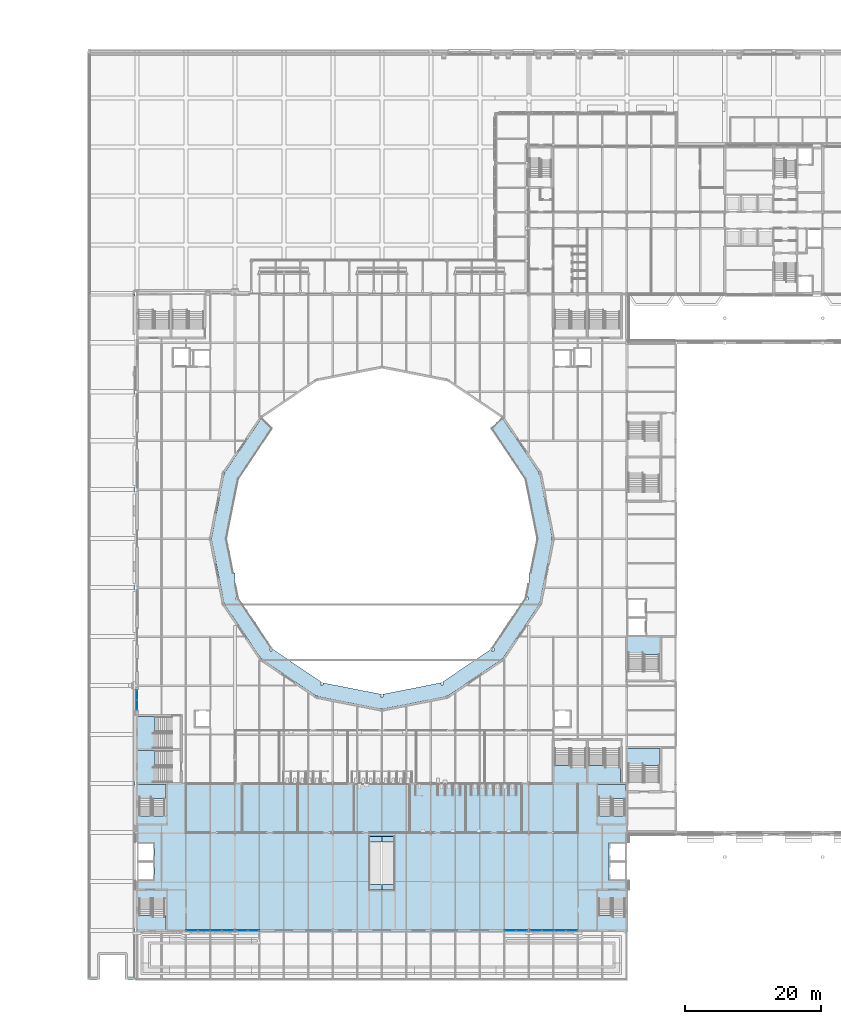
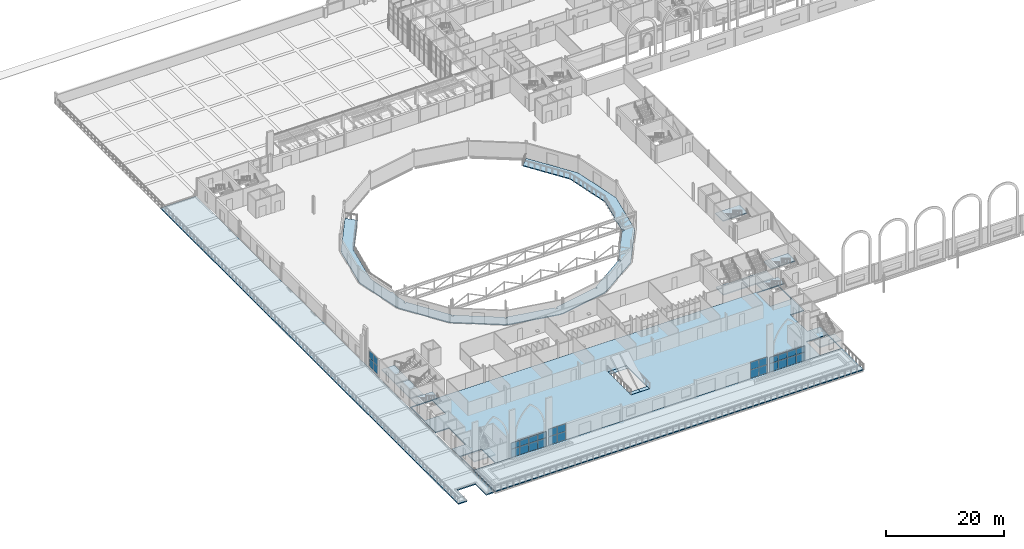
# One storey, part 63 of 143: 32 plates, 14 slabs, 15 elements without a shape of their own.
"""IFC4 building model written with IfcOpenShell, lengths in metres."""

from ifc_helpers import new_model, si_unit, direction, frame, origin, origin_2d, place, context, subcontext, project, spatial, polyline, rectangle, outline, extrude, material, layer, layer_set, type_object, element, aggregate, save


model = new_model("IFC4")

# Units and contexts
model_context = context("Model", 3, precision=1e-05, world=origin(), true_north=direction((0.0, 1.0)))
body_context = subcontext(model_context, "Body", "Model", "MODEL_VIEW")
ifc_project = project(units=[si_unit("LENGTHUNIT", "METRE"), si_unit("AREAUNIT", "SQUARE_METRE"), si_unit("VOLUMEUNIT", "CUBIC_METRE"), si_unit("PLANEANGLEUNIT", "RADIAN"), si_unit("MASSUNIT", "GRAM", prefix="KILO")], contexts=[model_context])

# Site, building, storey
site_placement = place(None, origin())
site = spatial("IfcSite", under=ifc_project, at=site_placement, CompositionType="ELEMENT")
building_placement = place(site_placement, origin())
building = spatial("IfcBuilding", under=site, at=building_placement, Name="Kupolbacken Congress Centre", CompositionType="ELEMENT")
storey_placement = place(building_placement, frame((0.0, 0.0, 7.199951171875)))
storey = spatial("IfcBuildingStorey", under=building, at=storey_placement, Name="L02", CompositionType="ELEMENT", Elevation=7.199951171875)

# Slab
ifc_material_1 = material(Name="Concrete C30/37", Category="concrete")
ifc_layer_1 = layer(ifc_material_1, 0.22998046875)
ifc_layer_set_1 = layer_set([ifc_layer_1], Name="Concrete C30/37")
slab_type_1 = type_object("IfcSlabType", Name="BS1 slab 230", PredefinedType="BASESLAB", material=ifc_layer_set_1)
slab_1_placement = place(storey_placement, frame((0.0, 0.0, -0.22998046875)))
element("IfcSlab", 1, at=slab_1_placement, inside=storey, type_object=slab_type_1, Name="S/platform/WEST_TERRACE", PredefinedType="BASESLAB", context=body_context, shape_type="SweptSolid", body=[
    extrude(outline(polyline([(0.0009765625, 122.39990234375), (0.0009765625, 21.60009765625), (1.75, 21.60009765625), (1.75, 25.25), (5.449951171875, 25.25), (5.449951171875, 21.60009765625), (6.925048828125, 21.60009765625), (6.925048828125, 122.39990234375), (0.0009765625, 122.39990234375)])), origin(), (0.0, 0.0, 1.0), 0.22998046875),
])

# Plates
ifc_material_2 = material(Name="Steel S355", Category="steel")
ifc_layer_2 = layer(ifc_material_2, 0.0400390625)
ifc_layer_set_2 = layer_set([ifc_layer_2], Name="Steel S355")
plate_type_1 = type_object("IfcPlateType", Name="EP1 escalator comb plate 40", PredefinedType="SHEET", material=ifc_layer_set_2)
plate_1_placement = place(storey_placement, frame((0.0, 0.0, -0.0400390625)))
element("IfcPlate", 2, at=plate_1_placement, inside=storey, type_object=plate_type_1, Name="Escalator comb plate", PredefinedType="SHEET", context=body_context, shape_type="SweptSolid", body=[
    extrude(outline(polyline([(41.39990234375, 41.817626953125), (43.199951171875, 41.817626953125), (43.199951171875, 42.61767578125), (41.39990234375, 42.61767578125), (41.39990234375, 41.817626953125)])), origin(), (0.0, 0.0, 1.0), 0.0400390625),
])
plate_2_placement = place(storey_placement, frame((0.0, 0.0, -0.0400390625)))
element("IfcPlate", 3, at=plate_2_placement, inside=storey, type_object=plate_type_1, Name="Escalator comb plate", PredefinedType="SHEET", context=body_context, shape_type="SweptSolid", body=[
    extrude(outline(polyline([(43.199951171875, 41.817626953125), (45.0, 41.817626953125), (45.0, 42.61767578125), (43.199951171875, 42.61767578125), (43.199951171875, 41.817626953125)])), origin(), (0.0, 0.0, 1.0), 0.0400390625),
])
plate_3_placement = place(storey_placement, frame((0.0, 0.0, -0.0400390625)))
element("IfcPlate", 4, at=plate_3_placement, inside=storey, type_object=plate_type_1, Name="Escalator comb plate", PredefinedType="SHEET", context=body_context, shape_type="SweptSolid", body=[
    extrude(outline(polyline([(41.39990234375, 34.7822265625), (43.199951171875, 34.7822265625), (43.199951171875, 35.582275390625), (41.39990234375, 35.582275390625), (41.39990234375, 34.7822265625)])), origin(), (0.0, 0.0, 1.0), 0.0400390625),
])
plate_4_placement = place(storey_placement, frame((0.0, 0.0, -0.0400390625)))
element("IfcPlate", 5, at=plate_4_placement, inside=storey, type_object=plate_type_1, Name="Escalator comb plate", PredefinedType="SHEET", context=body_context, shape_type="SweptSolid", body=[
    extrude(outline(polyline([(43.199951171875, 34.7822265625), (45.0, 34.7822265625), (45.0, 35.582275390625), (43.199951171875, 35.582275390625), (43.199951171875, 34.7822265625)])), origin(), (0.0, 0.0, 1.0), 0.0400390625),
])

# Slabs
ifc_material_3 = material(Name="Concrete C30/37", Category="concrete")
ifc_layer_3 = layer(ifc_material_3, 0.1201171875)
ifc_material_4 = material(Name="Steel S350 profiled deck", Category="steel")
ifc_layer_4 = layer(ifc_material_4, 0.06005859375)
ifc_layer_set_3 = layer_set([ifc_layer_3, ifc_layer_4], Name="Concrete C30/37 / Steel S350 profiled deck")
slab_type_2 = type_object("IfcSlabType", Name="FS3 slab 180", PredefinedType="FLOOR", material=ifc_layer_set_3)
slab_2_placement = place(storey_placement, frame((0.0, 0.0, -0.179931640625)))
element("IfcSlab", 6, at=slab_2_placement, inside=storey, type_object=slab_type_2, Name="S/floor/F/L02/slab/p0/slab", PredefinedType="FLOOR", context=body_context, shape_type="SweptSolid", body=[
    extrude(outline(polyline([(79.199462890625, 28.800537109375), (79.199462890625, 36.1494140625), (76.599609375, 36.1494140625), (76.599609375, 41.75048828125), (79.199462890625, 41.75048828125), (79.199462890625, 50.3994140625), (7.200439453125, 50.3994140625), (7.200439453125, 41.75048828125), (9.800537109375, 41.75048828125), (9.800537109375, 36.1494140625), (7.200439453125, 36.1494140625), (7.200439453125, 28.800537109375), (79.199462890625, 28.800537109375)]), holes=[polyline([(79.075439453125, 33.54052734375), (79.075439453125, 28.924560546875), (74.924560546875, 28.924560546875), (74.924560546875, 33.54052734375), (79.075439453125, 33.54052734375)]), polyline([(79.075439453125, 45.659423828125), (74.924560546875, 45.659423828125), (74.924560546875, 50.275390625), (79.075439453125, 50.275390625), (79.075439453125, 45.659423828125)]), polyline([(41.3994140625, 34.76171875), (41.3994140625, 42.63818359375), (45.00048828125, 42.63818359375), (45.00048828125, 34.76171875), (41.3994140625, 34.76171875)]), polyline([(7.324462890625, 33.54052734375), (11.4755859375, 33.54052734375), (11.4755859375, 28.924560546875), (7.324462890625, 28.924560546875), (7.324462890625, 33.54052734375)]), polyline([(11.4755859375, 45.659423828125), (7.324462890625, 45.659423828125), (7.324462890625, 50.275390625), (11.4755859375, 50.275390625), (11.4755859375, 45.659423828125)])]), origin(), (0.0, 0.0, 1.0), 0.179931640625),
])
slab_3_placement = place(storey_placement, frame((0.0, 0.0, -0.179931640625)))
element("IfcSlab", 7, at=slab_3_placement, inside=storey, type_object=slab_type_2, Name="S/floor/F/L02/slab/p1/slab", PredefinedType="FLOOR", context=body_context, shape_type="SweptSolid", body=[
    extrude(outline(polyline([(79.199462890625, 28.799560546875), (7.200439453125, 28.799560546875), (7.200439453125, 21.6005859375), (79.199462890625, 21.6005859375), (79.199462890625, 28.799560546875)])), origin(), (0.0, 0.0, 1.0), 0.179931640625),
])
ifc_layer_5 = layer(ifc_material_3, 0.1201171875)
ifc_layer_6 = layer(ifc_material_4, 0.06005859375)
ifc_layer_set_4 = layer_set([ifc_layer_5, ifc_layer_6], Name="Concrete C30/37 / Steel S350 profiled deck")
slab_type_3 = type_object("IfcSlabType", Name="FS7 slab 180 ring", PredefinedType="USERDEFINED", material=ifc_layer_set_4)
slab_4_placement = place(storey_placement, frame((0.0, 0.0, -0.179931640625)))
element("IfcSlab", 8, at=slab_4_placement, inside=storey, type_object=slab_type_3, Name="Plenary cross-aisle ring", ObjectType="SEATING TIER", PredefinedType="USERDEFINED", context=body_context, shape_type="SweptSolid", body=[
    extrude(outline(polyline([(43.3701171875, 61.355712890625), (43.3701171875, 61.419921875), (43.030029296875, 61.419921875), (43.030029296875, 61.355712890625), (33.726318359375, 63.1875), (33.726318359375, 63.338134765625), (33.41162109375, 63.338134765625), (25.55078125, 68.642822265625), (25.55078125, 68.80078125), (25.4091796875, 68.80078125), (20.088134765625, 76.685546875), (20.088134765625, 76.976318359375), (19.977783203125, 76.976318359375), (18.16552734375, 86.179931640625), (18.169921875, 86.179931640625), (18.169921875, 86.6201171875), (18.16552734375, 86.6201171875), (19.977783203125, 95.823486328125), (20.088134765625, 95.823486328125), (20.088134765625, 96.114501953125), (25.4091796875, 103.9990234375), (25.55078125, 103.9990234375), (25.55078125, 104.049072265625), (27.02783203125, 102.572021484375), (27.02783203125, 102.572021484375), (22.029052734375, 95.164794921875), (20.303466796875, 86.39990234375), (21.3037109375, 81.320068359375), (21.583251953125, 81.320068359375), (21.583251953125, 79.89990234375), (21.99755859375, 77.7958984375), (21.726318359375, 77.7958984375), (21.726318359375, 77.355712890625), (22.06640625, 77.355712890625), (22.06640625, 77.579833984375), (26.96923828125, 70.31494140625), (26.724853515625, 70.31494140625), (26.724853515625, 69.875), (27.06494140625, 69.875), (27.06494140625, 70.202880859375), (34.305908203125, 65.31640625), (34.205810546875, 65.31640625), (34.205810546875, 64.87646484375), (34.5458984375, 64.87646484375), (34.5458984375, 65.207275390625), (43.030029296875, 63.536865234375), (43.030029296875, 63.12109375), (43.3701171875, 63.12109375), (43.3701171875, 63.536865234375), (51.854248046875, 65.207275390625), (51.854248046875, 64.87646484375), (52.194091796875, 64.87646484375), (52.194091796875, 65.31640625), (52.093994140625, 65.31640625), (59.335205078125, 70.202880859375), (59.335205078125, 69.875), (59.675048828125, 69.875), (59.675048828125, 70.31494140625), (59.430908203125, 70.31494140625), (64.33349609375, 77.579833984375), (64.33349609375, 77.355712890625), (64.673583984375, 77.355712890625), (64.673583984375, 77.7958984375), (64.402587890625, 77.7958984375), (64.81689453125, 79.89990234375), (64.81689453125, 81.320068359375), (65.096435546875, 81.320068359375), (66.0966796875, 86.39990234375), (64.370849609375, 95.164794921875), (59.3720703125, 102.572021484375), (60.84912109375, 104.049072265625), (60.84912109375, 103.9990234375), (60.99072265625, 103.9990234375), (66.311767578125, 96.114501953125), (66.311767578125, 95.823486328125), (66.42236328125, 95.823486328125), (68.234375, 86.6201171875), (68.22998046875, 86.6201171875), (68.22998046875, 86.179931640625), (68.234375, 86.179931640625), (66.42236328125, 76.976318359375), (66.311767578125, 76.976318359375), (66.311767578125, 76.685546875), (60.99072265625, 68.80078125), (60.84912109375, 68.80078125), (60.84912109375, 68.642822265625), (52.988525390625, 63.338134765625), (52.673583984375, 63.338134765625), (52.673583984375, 63.1875), (43.3701171875, 61.355712890625)])), origin(), (0.0, 0.0, 1.0), 0.179931640625),
])

# Curtain wall, plates
ifc_material_5 = material(Name="Aluminium mullion-transom frame with glass", Category="aluminium")
curtain_wall_type_1 = type_object("IfcCurtainWallType", Name="CW1 curtain wall 7200x3600", PredefinedType="NOTDEFINED", material=ifc_material_5)
curtain_wall_1_placement = place(storey_placement, origin())
curtain_wall_1 = element("IfcCurtainWall", 9, at=curtain_wall_1_placement, inside=storey, type_object=curtain_wall_type_1, Name="E/F/S/L02/232", PredefinedType="NOTDEFINED")
ifc_material_6 = material(Name="Glass", Category="glass")
ifc_layer_7 = layer(ifc_material_6, 0.035888671875)
ifc_layer_set_5 = layer_set([ifc_layer_7], Name="Glass")
plate_type_2 = type_object("IfcPlateType", Name="GL2 glass panel 36", PredefinedType="CURTAIN_PANEL", material=ifc_layer_set_5)
plate_5_placement = place(storey_placement, frame((15.293701171875, 28.800048828125, 0.050048828125), z_axis=(0.0, 0.0, 1.0), x_axis=(1.0, 0.0, 0.0)))
plate_5 = element("IfcPlate", 10, at=plate_5_placement, type_object=plate_type_2, Name="CW1 panel 1.1", PredefinedType="CURTAIN_PANEL", context=body_context, shape_type="SweptSolid", body=[
    extrude(rectangle(XDim=1.6875, YDim=0.035888671875, at=origin_2d()), origin(), (0.0, 0.0, 1.0), 1.72509765625),
])
plate_6_placement = place(storey_placement, frame((15.293701171875, 28.800048828125, 1.824951171875), z_axis=(0.0, 0.0, 1.0), x_axis=(1.0, 0.0, 0.0)))
plate_6 = element("IfcPlate", 11, at=plate_6_placement, type_object=plate_type_2, Name="CW1 panel 1.2", PredefinedType="CURTAIN_PANEL", context=body_context, shape_type="SweptSolid", body=[
    extrude(rectangle(XDim=1.6875, YDim=0.035888671875, at=origin_2d()), origin(), (0.0, 0.0, 1.0), 1.2451171875),
])
plate_7_placement = place(storey_placement, frame((17.043701171875, 28.800048828125, 0.050048828125), z_axis=(0.0, 0.0, 1.0), x_axis=(1.0, 0.0, 0.0)))
plate_7 = element("IfcPlate", 12, at=plate_7_placement, type_object=plate_type_2, Name="CW1 panel 2.1", PredefinedType="CURTAIN_PANEL", context=body_context, shape_type="SweptSolid", body=[
    extrude(rectangle(XDim=1.71240234375, YDim=0.035888671875, at=origin_2d()), origin(), (0.0, 0.0, 1.0), 1.72509765625),
])
plate_8_placement = place(storey_placement, frame((17.043701171875, 28.800048828125, 1.824951171875), z_axis=(0.0, 0.0, 1.0), x_axis=(1.0, 0.0, 0.0)))
plate_8 = element("IfcPlate", 13, at=plate_8_placement, type_object=plate_type_2, Name="CW1 panel 2.2", PredefinedType="CURTAIN_PANEL", context=body_context, shape_type="SweptSolid", body=[
    extrude(rectangle(XDim=1.71240234375, YDim=0.035888671875, at=origin_2d()), origin(), (0.0, 0.0, 1.0), 1.2451171875),
])
plate_9_placement = place(storey_placement, frame((18.80615234375, 28.800048828125, 0.050048828125), z_axis=(0.0, 0.0, 1.0), x_axis=(1.0, 0.0, 0.0)))
plate_9 = element("IfcPlate", 14, at=plate_9_placement, type_object=plate_type_2, Name="CW1 panel 3.1", PredefinedType="CURTAIN_PANEL", context=body_context, shape_type="SweptSolid", body=[
    extrude(rectangle(XDim=1.71240234375, YDim=0.035888671875, at=origin_2d()), origin(), (0.0, 0.0, 1.0), 1.72509765625),
])
plate_10_placement = place(storey_placement, frame((18.80615234375, 28.800048828125, 1.824951171875), z_axis=(0.0, 0.0, 1.0), x_axis=(1.0, 0.0, 0.0)))
plate_10 = element("IfcPlate", 15, at=plate_10_placement, type_object=plate_type_2, Name="CW1 panel 3.2", PredefinedType="CURTAIN_PANEL", context=body_context, shape_type="SweptSolid", body=[
    extrude(rectangle(XDim=1.71240234375, YDim=0.035888671875, at=origin_2d()), origin(), (0.0, 0.0, 1.0), 1.2451171875),
])
plate_11_placement = place(storey_placement, frame((20.55615234375, 28.800048828125, 0.050048828125), z_axis=(0.0, 0.0, 1.0), x_axis=(1.0, 0.0, 0.0)))
plate_11 = element("IfcPlate", 16, at=plate_11_placement, type_object=plate_type_2, Name="CW1 panel 4.1", PredefinedType="CURTAIN_PANEL", context=body_context, shape_type="SweptSolid", body=[
    extrude(rectangle(XDim=1.6875, YDim=0.035888671875, at=origin_2d()), origin(), (0.0, 0.0, 1.0), 1.72509765625),
])
plate_12_placement = place(storey_placement, frame((20.55615234375, 28.800048828125, 1.824951171875), z_axis=(0.0, 0.0, 1.0), x_axis=(1.0, 0.0, 0.0)))
plate_12 = element("IfcPlate", 17, at=plate_12_placement, type_object=plate_type_2, Name="CW1 panel 4.2", PredefinedType="CURTAIN_PANEL", context=body_context, shape_type="SweptSolid", body=[
    extrude(rectangle(XDim=1.6875, YDim=0.035888671875, at=origin_2d()), origin(), (0.0, 0.0, 1.0), 1.2451171875),
])
aggregate(curtain_wall_1, [plate_5, plate_6, plate_7, plate_8, plate_9, plate_10, plate_11, plate_12])

ifc_material_7 = material(Name="Aluminium mullion-transom frame with glass", Category="aluminium")
curtain_wall_type_2 = type_object("IfcCurtainWallType", Name="CW2 curtain wall 3600x3600", PredefinedType="NOTDEFINED", material=ifc_material_7)
curtain_wall_2_placement = place(storey_placement, origin())
curtain_wall_2 = element("IfcCurtainWall", 18, at=curtain_wall_2_placement, inside=storey, type_object=curtain_wall_type_2, Name="E/F/S/L02/233", PredefinedType="NOTDEFINED")
plate_13_placement = place(storey_placement, frame((22.62744140625, 28.800048828125, 0.06005859375), z_axis=(0.0, 0.0, 1.0), x_axis=(1.0, 0.0, 0.0)))
plate_13 = element("IfcPlate", 19, at=plate_13_placement, type_object=plate_type_2, Name="CW2 panel 1.1", PredefinedType="CURTAIN_PANEL", context=body_context, shape_type="SweptSolid", body=[
    extrude(rectangle(XDim=1.635009765625, YDim=0.035888671875, at=origin_2d()), origin(), (0.0, 0.0, 1.0), 1.7099609375),
])
plate_14_placement = place(storey_placement, frame((22.62744140625, 28.800048828125, 1.830078125), z_axis=(0.0, 0.0, 1.0), x_axis=(1.0, 0.0, 0.0)))
plate_14 = element("IfcPlate", 20, at=plate_14_placement, type_object=plate_type_2, Name="CW2 panel 1.2", PredefinedType="CURTAIN_PANEL", context=body_context, shape_type="SweptSolid", body=[
    extrude(rectangle(XDim=1.635009765625, YDim=0.035888671875, at=origin_2d()), origin(), (0.0, 0.0, 1.0), 1.530029296875),
])
plate_15_placement = place(storey_placement, frame((24.322509765625, 28.800048828125, 0.06005859375), z_axis=(0.0, 0.0, 1.0), x_axis=(1.0, 0.0, 0.0)))
plate_15 = element("IfcPlate", 21, at=plate_15_placement, type_object=plate_type_2, Name="CW2 panel 2.1", PredefinedType="CURTAIN_PANEL", context=body_context, shape_type="SweptSolid", body=[
    extrude(rectangle(XDim=1.635009765625, YDim=0.035888671875, at=origin_2d()), origin(), (0.0, 0.0, 1.0), 1.7099609375),
])
plate_16_placement = place(storey_placement, frame((24.322509765625, 28.800048828125, 1.830078125), z_axis=(0.0, 0.0, 1.0), x_axis=(1.0, 0.0, 0.0)))
plate_16 = element("IfcPlate", 22, at=plate_16_placement, type_object=plate_type_2, Name="CW2 panel 2.2", PredefinedType="CURTAIN_PANEL", context=body_context, shape_type="SweptSolid", body=[
    extrude(rectangle(XDim=1.635009765625, YDim=0.035888671875, at=origin_2d()), origin(), (0.0, 0.0, 1.0), 1.530029296875),
])
aggregate(curtain_wall_2, [plate_13, plate_14, plate_15, plate_16])

curtain_wall_3_placement = place(storey_placement, origin())
curtain_wall_3 = element("IfcCurtainWall", 23, at=curtain_wall_3_placement, inside=storey, type_object=curtain_wall_type_2, Name="E/F/S/L02/237", PredefinedType="NOTDEFINED")
plate_17_placement = place(storey_placement, frame((62.077392578125, 28.800048828125, 0.06005859375), z_axis=(0.0, 0.0, 1.0), x_axis=(1.0, 0.0, 0.0)))
plate_17 = element("IfcPlate", 24, at=plate_17_placement, type_object=plate_type_2, Name="CW2 panel 1.1", PredefinedType="CURTAIN_PANEL", context=body_context, shape_type="SweptSolid", body=[
    extrude(rectangle(XDim=1.635009765625, YDim=0.035888671875, at=origin_2d()), origin(), (0.0, 0.0, 1.0), 1.7099609375),
])
plate_18_placement = place(storey_placement, frame((62.077392578125, 28.800048828125, 1.830078125), z_axis=(0.0, 0.0, 1.0), x_axis=(1.0, 0.0, 0.0)))
plate_18 = element("IfcPlate", 25, at=plate_18_placement, type_object=plate_type_2, Name="CW2 panel 1.2", PredefinedType="CURTAIN_PANEL", context=body_context, shape_type="SweptSolid", body=[
    extrude(rectangle(XDim=1.635009765625, YDim=0.035888671875, at=origin_2d()), origin(), (0.0, 0.0, 1.0), 1.530029296875),
])
plate_19_placement = place(storey_placement, frame((63.7724609375, 28.800048828125, 0.06005859375), z_axis=(0.0, 0.0, 1.0), x_axis=(1.0, 0.0, 0.0)))
plate_19 = element("IfcPlate", 26, at=plate_19_placement, type_object=plate_type_2, Name="CW2 panel 2.1", PredefinedType="CURTAIN_PANEL", context=body_context, shape_type="SweptSolid", body=[
    extrude(rectangle(XDim=1.635009765625, YDim=0.035888671875, at=origin_2d()), origin(), (0.0, 0.0, 1.0), 1.7099609375),
])
plate_20_placement = place(storey_placement, frame((63.7724609375, 28.800048828125, 1.830078125), z_axis=(0.0, 0.0, 1.0), x_axis=(1.0, 0.0, 0.0)))
plate_20 = element("IfcPlate", 27, at=plate_20_placement, type_object=plate_type_2, Name="CW2 panel 2.2", PredefinedType="CURTAIN_PANEL", context=body_context, shape_type="SweptSolid", body=[
    extrude(rectangle(XDim=1.635009765625, YDim=0.035888671875, at=origin_2d()), origin(), (0.0, 0.0, 1.0), 1.530029296875),
])
aggregate(curtain_wall_3, [plate_17, plate_18, plate_19, plate_20])

curtain_wall_4_placement = place(storey_placement, origin())
curtain_wall_4 = element("IfcCurtainWall", 28, at=curtain_wall_4_placement, inside=storey, type_object=curtain_wall_type_1, Name="E/F/S/L02/238", PredefinedType="NOTDEFINED")
plate_21_placement = place(storey_placement, frame((65.84375, 28.800048828125, 0.050048828125), z_axis=(0.0, 0.0, 1.0), x_axis=(1.0, 0.0, 0.0)))
plate_21 = element("IfcPlate", 29, at=plate_21_placement, type_object=plate_type_2, Name="CW1 panel 1.1", PredefinedType="CURTAIN_PANEL", context=body_context, shape_type="SweptSolid", body=[
    extrude(rectangle(XDim=1.6875, YDim=0.035888671875, at=origin_2d()), origin(), (0.0, 0.0, 1.0), 1.72509765625),
])
plate_22_placement = place(storey_placement, frame((65.84375, 28.800048828125, 1.824951171875), z_axis=(0.0, 0.0, 1.0), x_axis=(1.0, 0.0, 0.0)))
plate_22 = element("IfcPlate", 30, at=plate_22_placement, type_object=plate_type_2, Name="CW1 panel 1.2", PredefinedType="CURTAIN_PANEL", context=body_context, shape_type="SweptSolid", body=[
    extrude(rectangle(XDim=1.6875, YDim=0.035888671875, at=origin_2d()), origin(), (0.0, 0.0, 1.0), 1.2451171875),
])
plate_23_placement = place(storey_placement, frame((67.59375, 28.800048828125, 0.050048828125), z_axis=(0.0, 0.0, 1.0), x_axis=(1.0, 0.0, 0.0)))
plate_23 = element("IfcPlate", 31, at=plate_23_placement, type_object=plate_type_2, Name="CW1 panel 2.1", PredefinedType="CURTAIN_PANEL", context=body_context, shape_type="SweptSolid", body=[
    extrude(rectangle(XDim=1.71240234375, YDim=0.035888671875, at=origin_2d()), origin(), (0.0, 0.0, 1.0), 1.72509765625),
])
plate_24_placement = place(storey_placement, frame((67.59375, 28.800048828125, 1.824951171875), z_axis=(0.0, 0.0, 1.0), x_axis=(1.0, 0.0, 0.0)))
plate_24 = element("IfcPlate", 32, at=plate_24_placement, type_object=plate_type_2, Name="CW1 panel 2.2", PredefinedType="CURTAIN_PANEL", context=body_context, shape_type="SweptSolid", body=[
    extrude(rectangle(XDim=1.71240234375, YDim=0.035888671875, at=origin_2d()), origin(), (0.0, 0.0, 1.0), 1.2451171875),
])
plate_25_placement = place(storey_placement, frame((69.356201171875, 28.800048828125, 0.050048828125), z_axis=(0.0, 0.0, 1.0), x_axis=(1.0, 0.0, 0.0)))
plate_25 = element("IfcPlate", 33, at=plate_25_placement, type_object=plate_type_2, Name="CW1 panel 3.1", PredefinedType="CURTAIN_PANEL", context=body_context, shape_type="SweptSolid", body=[
    extrude(rectangle(XDim=1.71240234375, YDim=0.035888671875, at=origin_2d()), origin(), (0.0, 0.0, 1.0), 1.72509765625),
])
plate_26_placement = place(storey_placement, frame((69.356201171875, 28.800048828125, 1.824951171875), z_axis=(0.0, 0.0, 1.0), x_axis=(1.0, 0.0, 0.0)))
plate_26 = element("IfcPlate", 34, at=plate_26_placement, type_object=plate_type_2, Name="CW1 panel 3.2", PredefinedType="CURTAIN_PANEL", context=body_context, shape_type="SweptSolid", body=[
    extrude(rectangle(XDim=1.71240234375, YDim=0.035888671875, at=origin_2d()), origin(), (0.0, 0.0, 1.0), 1.2451171875),
])
plate_27_placement = place(storey_placement, frame((71.106201171875, 28.800048828125, 0.050048828125), z_axis=(0.0, 0.0, 1.0), x_axis=(1.0, 0.0, 0.0)))
plate_27 = element("IfcPlate", 35, at=plate_27_placement, type_object=plate_type_2, Name="CW1 panel 4.1", PredefinedType="CURTAIN_PANEL", context=body_context, shape_type="SweptSolid", body=[
    extrude(rectangle(XDim=1.6875, YDim=0.035888671875, at=origin_2d()), origin(), (0.0, 0.0, 1.0), 1.72509765625),
])
plate_28_placement = place(storey_placement, frame((71.106201171875, 28.800048828125, 1.824951171875), z_axis=(0.0, 0.0, 1.0), x_axis=(1.0, 0.0, 0.0)))
plate_28 = element("IfcPlate", 36, at=plate_28_placement, type_object=plate_type_2, Name="CW1 panel 4.2", PredefinedType="CURTAIN_PANEL", context=body_context, shape_type="SweptSolid", body=[
    extrude(rectangle(XDim=1.6875, YDim=0.035888671875, at=origin_2d()), origin(), (0.0, 0.0, 1.0), 1.2451171875),
])
aggregate(curtain_wall_4, [plate_21, plate_22, plate_23, plate_24, plate_25, plate_26, plate_27, plate_28])

curtain_wall_5_placement = place(storey_placement, origin())
curtain_wall_5 = element("IfcCurtainWall", 37, at=curtain_wall_5_placement, inside=storey, type_object=curtain_wall_type_2, Name="E/P/W/L02/293", PredefinedType="NOTDEFINED")
plate_29_placement = place(storey_placement, frame((7.199951171875, 63.43505859375, 0.06005859375), z_axis=(0.0, 0.0, 1.0), x_axis=(0.0, -1.0, 0.0)))
plate_29 = element("IfcPlate", 38, at=plate_29_placement, type_object=plate_type_2, Name="CW2 panel 1.1", PredefinedType="CURTAIN_PANEL", context=body_context, shape_type="SweptSolid", body=[
    extrude(rectangle(XDim=1.409912109375, YDim=0.035888671875, at=origin_2d()), origin(), (0.0, 0.0, 1.0), 1.7099609375),
])
plate_30_placement = place(storey_placement, frame((7.199951171875, 63.43505859375, 1.830078125), z_axis=(0.0, 0.0, 1.0), x_axis=(0.0, -1.0, 0.0)))
plate_30 = element("IfcPlate", 39, at=plate_30_placement, type_object=plate_type_2, Name="CW2 panel 1.2", PredefinedType="CURTAIN_PANEL", context=body_context, shape_type="SweptSolid", body=[
    extrude(rectangle(XDim=1.409912109375, YDim=0.035888671875, at=origin_2d()), origin(), (0.0, 0.0, 1.0), 1.530029296875),
])
plate_31_placement = place(storey_placement, frame((7.199951171875, 61.965087890625, 0.06005859375), z_axis=(0.0, 0.0, 1.0), x_axis=(0.0, -1.0, 0.0)))
plate_31 = element("IfcPlate", 40, at=plate_31_placement, type_object=plate_type_2, Name="CW2 panel 2.1", PredefinedType="CURTAIN_PANEL", context=body_context, shape_type="SweptSolid", body=[
    extrude(rectangle(XDim=1.409912109375, YDim=0.035888671875, at=origin_2d()), origin(), (0.0, 0.0, 1.0), 1.7099609375),
])
plate_32_placement = place(storey_placement, frame((7.199951171875, 61.965087890625, 1.830078125), z_axis=(0.0, 0.0, 1.0), x_axis=(0.0, -1.0, 0.0)))
plate_32 = element("IfcPlate", 41, at=plate_32_placement, type_object=plate_type_2, Name="CW2 panel 2.2", PredefinedType="CURTAIN_PANEL", context=body_context, shape_type="SweptSolid", body=[
    extrude(rectangle(XDim=1.409912109375, YDim=0.035888671875, at=origin_2d()), origin(), (0.0, 0.0, 1.0), 1.530029296875),
])
aggregate(curtain_wall_5, [plate_29, plate_30, plate_31, plate_32])

# Stair, slab
ifc_material_8 = material(Name="Steel S355", Category="steel")
stair_type_1 = type_object("IfcStairType", Name="ST3 stair 1800", PredefinedType="TWO_STRAIGHT_RUN_STAIR", material=ifc_material_8)
stair_1_placement = place(storey_placement, origin())
stair_1 = element("IfcStair", 42, at=stair_1_placement, inside=storey, type_object=stair_type_1, Name="C/stair/FS1W/L02", PredefinedType="NOTDEFINED")
ifc_layer_8 = layer(ifc_material_3, 0.175048828125)
ifc_material_9 = material(Name="Limestone", Category="masonry")
ifc_layer_9 = layer(ifc_material_9, 0.030029296875)
ifc_layer_set_6 = layer_set([ifc_layer_8, ifc_layer_9], Name="Concrete C30/37 / Limestone")
slab_type_4 = type_object("IfcSlabType", Name="SL2 slab 205", PredefinedType="LANDING", material=ifc_layer_set_6)
slab_5_placement = place(storey_placement, frame((0.0, 0.0, 1.50927734375)))
slab_5 = element("IfcSlab", 43, at=slab_5_placement, type_object=slab_type_4, Name="FS1W landing 1", PredefinedType="LANDING", context=body_context, shape_type="SweptSolid", body=[
    extrude(outline(polyline([(7.304931640625, 28.905029296875), (11.4951171875, 28.905029296875), (11.4951171875, 31.030029296875), (7.304931640625, 31.030029296875), (7.304931640625, 28.905029296875)])), origin(), (0.0, 0.0, 1.0), 0.205078125),
])
aggregate(stair_1, [slab_5])

stair_2_placement = place(storey_placement, origin())
stair_2 = element("IfcStair", 44, at=stair_2_placement, inside=storey, type_object=stair_type_1, Name="C/stair/FS2W/L02", PredefinedType="NOTDEFINED")
slab_6_placement = place(storey_placement, frame((0.0, 0.0, 1.50927734375)))
slab_6 = element("IfcSlab", 45, at=slab_6_placement, type_object=slab_type_4, Name="FS2W landing 1", PredefinedType="LANDING", context=body_context, shape_type="SweptSolid", body=[
    extrude(outline(polyline([(7.304931640625, 48.169921875), (11.4951171875, 48.169921875), (11.4951171875, 50.294921875), (7.304931640625, 50.294921875), (7.304931640625, 48.169921875)])), origin(), (0.0, 0.0, 1.0), 0.205078125),
])
aggregate(stair_2, [slab_6])

stair_3_placement = place(storey_placement, origin())
stair_3 = element("IfcStair", 46, at=stair_3_placement, inside=storey, type_object=stair_type_1, Name="C/stair/FS1E/L02", PredefinedType="NOTDEFINED")
slab_7_placement = place(storey_placement, frame((0.0, 0.0, 1.50927734375)))
slab_7 = element("IfcSlab", 47, at=slab_7_placement, type_object=slab_type_4, Name="FS1E landing 1", PredefinedType="LANDING", context=body_context, shape_type="SweptSolid", body=[
    extrude(outline(polyline([(74.905029296875, 28.905029296875), (79.094970703125, 28.905029296875), (79.094970703125, 31.030029296875), (74.905029296875, 31.030029296875), (74.905029296875, 28.905029296875)])), origin(), (0.0, 0.0, 1.0), 0.205078125),
])
aggregate(stair_3, [slab_7])

stair_4_placement = place(storey_placement, origin())
stair_4 = element("IfcStair", 48, at=stair_4_placement, inside=storey, type_object=stair_type_1, Name="C/stair/FS2E/L02", PredefinedType="NOTDEFINED")
slab_8_placement = place(storey_placement, frame((0.0, 0.0, 1.50927734375)))
slab_8 = element("IfcSlab", 49, at=slab_8_placement, type_object=slab_type_4, Name="FS2E landing 1", PredefinedType="LANDING", context=body_context, shape_type="SweptSolid", body=[
    extrude(outline(polyline([(74.905029296875, 48.169921875), (79.094970703125, 48.169921875), (79.094970703125, 50.294921875), (74.905029296875, 50.294921875), (74.905029296875, 48.169921875)])), origin(), (0.0, 0.0, 1.0), 0.205078125),
])
aggregate(stair_4, [slab_8])

ifc_material_10 = material(Name="Concrete C30/37", Category="concrete")
stair_type_2 = type_object("IfcStairType", Name="ST13 stair 2200", PredefinedType="TWO_STRAIGHT_RUN_STAIR", material=ifc_material_10)
stair_5_placement = place(storey_placement, origin())
stair_5 = element("IfcStair", 50, at=stair_5_placement, inside=storey, type_object=stair_type_2, Name="C/stair/PS1SW/L02", PredefinedType="NOTDEFINED")
slab_9_placement = place(storey_placement, frame((0.0, 0.0, 1.50927734375)))
slab_9 = element("IfcSlab", 51, at=slab_9_placement, type_object=slab_type_4, Name="PS1SW landing 1", PredefinedType="LANDING", context=body_context, shape_type="SweptSolid", body=[
    extrude(outline(polyline([(7.304931640625, 50.5048828125), (9.830078125, 50.5048828125), (9.830078125, 55.294921875), (7.304931640625, 55.294921875), (7.304931640625, 50.5048828125)])), origin(), (0.0, 0.0, 1.0), 0.205078125),
])
aggregate(stair_5, [slab_9])

stair_6_placement = place(storey_placement, origin())
stair_6 = element("IfcStair", 52, at=stair_6_placement, inside=storey, type_object=stair_type_2, Name="C/stair/PS2SW/L02", PredefinedType="NOTDEFINED")
slab_10_placement = place(storey_placement, frame((0.0, 0.0, 1.50927734375)))
slab_10 = element("IfcSlab", 53, at=slab_10_placement, type_object=slab_type_4, Name="PS2SW landing 1", PredefinedType="LANDING", context=body_context, shape_type="SweptSolid", body=[
    extrude(outline(polyline([(7.304931640625, 55.5048828125), (9.830078125, 55.5048828125), (9.830078125, 60.294921875), (7.304931640625, 60.294921875), (7.304931640625, 55.5048828125)])), origin(), (0.0, 0.0, 1.0), 0.205078125),
])
aggregate(stair_6, [slab_10])

stair_7_placement = place(storey_placement, origin())
stair_7 = element("IfcStair", 54, at=stair_7_placement, inside=storey, type_object=stair_type_2, Name="C/stair/PS1SE/L02", PredefinedType="NOTDEFINED")
slab_11_placement = place(storey_placement, frame((0.0, 0.0, 1.50927734375)))
slab_11 = element("IfcSlab", 55, at=slab_11_placement, type_object=slab_type_4, Name="PS1SE landing 1", PredefinedType="LANDING", context=body_context, shape_type="SweptSolid", body=[
    extrude(outline(polyline([(68.5048828125, 50.5048828125), (73.294921875, 50.5048828125), (73.294921875, 53.030029296875), (68.5048828125, 53.030029296875), (68.5048828125, 50.5048828125)])), origin(), (0.0, 0.0, 1.0), 0.205078125),
])
aggregate(stair_7, [slab_11])

stair_8_placement = place(storey_placement, origin())
stair_8 = element("IfcStair", 56, at=stair_8_placement, inside=storey, type_object=stair_type_2, Name="C/stair/PS2SE/L02", PredefinedType="NOTDEFINED")
slab_12_placement = place(storey_placement, frame((0.0, 0.0, 1.50927734375)))
slab_12 = element("IfcSlab", 57, at=slab_12_placement, type_object=slab_type_4, Name="PS2SE landing 1", PredefinedType="LANDING", context=body_context, shape_type="SweptSolid", body=[
    extrude(outline(polyline([(73.5048828125, 50.5048828125), (78.294921875, 50.5048828125), (78.294921875, 53.030029296875), (73.5048828125, 53.030029296875), (73.5048828125, 50.5048828125)])), origin(), (0.0, 0.0, 1.0), 0.205078125),
])
aggregate(stair_8, [slab_12])

stair_9_placement = place(storey_placement, origin())
stair_9 = element("IfcStair", 58, at=stair_9_placement, inside=storey, type_object=stair_type_2, Name="C/stair/LS1/L02", PredefinedType="NOTDEFINED")
slab_13_placement = place(storey_placement, frame((0.0, 0.0, 1.50927734375)))
slab_13 = element("IfcSlab", 59, at=slab_13_placement, type_object=slab_type_4, Name="LS1 landing 1", PredefinedType="LANDING", context=body_context, shape_type="SweptSolid", body=[
    extrude(outline(polyline([(79.330078125, 53.044921875), (84.070068359375, 53.044921875), (84.070068359375, 55.570068359375), (79.330078125, 55.570068359375), (79.330078125, 53.044921875)])), origin(), (0.0, 0.0, 1.0), 0.205078125),
])
aggregate(stair_9, [slab_13])

stair_10_placement = place(storey_placement, origin())
stair_10 = element("IfcStair", 60, at=stair_10_placement, inside=storey, type_object=stair_type_2, Name="C/stair/LS3/L02", PredefinedType="NOTDEFINED")
slab_14_placement = place(storey_placement, frame((0.0, 0.0, 1.50927734375)))
slab_14 = element("IfcSlab", 61, at=slab_14_placement, type_object=slab_type_4, Name="LS3 landing 1", PredefinedType="LANDING", context=body_context, shape_type="SweptSolid", body=[
    extrude(outline(polyline([(79.304931640625, 69.3701171875), (84.094970703125, 69.3701171875), (84.094970703125, 72.02001953125), (79.304931640625, 72.02001953125), (79.304931640625, 69.3701171875)])), origin(), (0.0, 0.0, 1.0), 0.205078125),
])
aggregate(stair_10, [slab_14])

save(model, "model.ifc")
